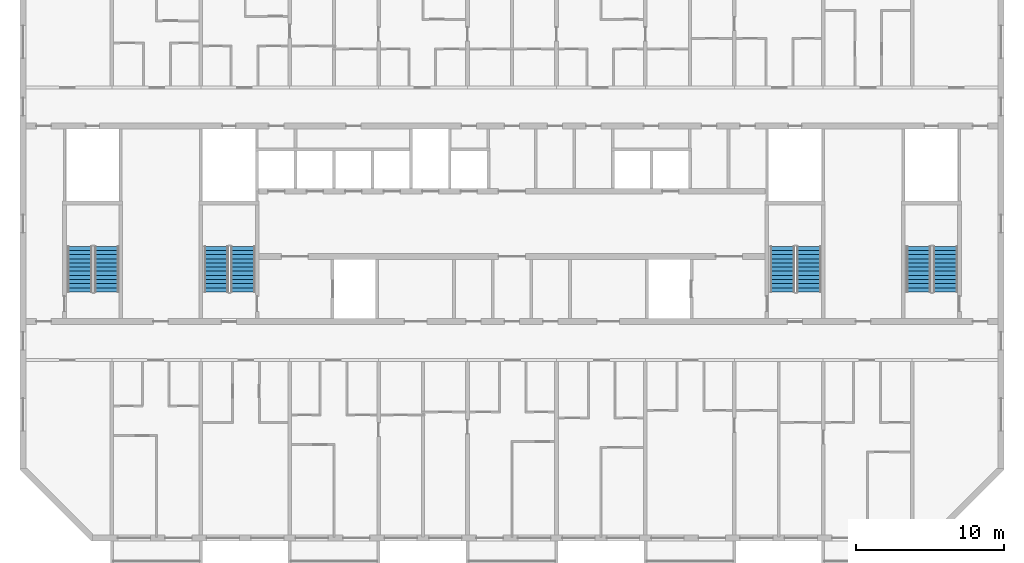
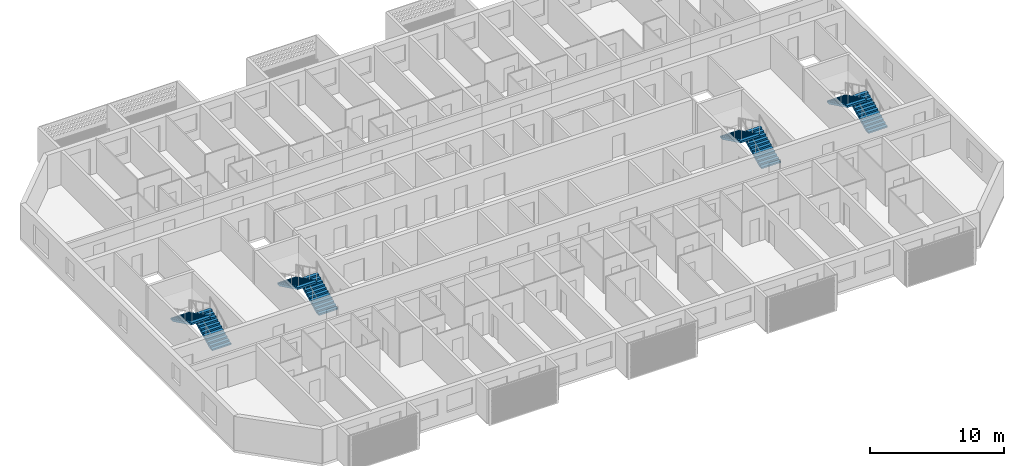
# One storey, part 12 of 27: 8 stair flights, 4 elements without a shape of their own.
"""IFC4 building model written with IfcOpenShell, lengths in metres."""

from ifc_helpers import new_model, si_unit, direction, frame, origin, place, context, subcontext, project, spatial, polyline, outline, extrude, material, layer, layer_set, type_object, element, aggregate, save


model = new_model("IFC4")

# Units and contexts
model_context = context("Model", 3, precision=1e-05, world=origin(), true_north=direction((0.0, 1.0)))
body_context = subcontext(model_context, "Body", "Model", "MODEL_VIEW")
ifc_project = project(units=[si_unit("LENGTHUNIT", "METRE"), si_unit("AREAUNIT", "SQUARE_METRE"), si_unit("VOLUMEUNIT", "CUBIC_METRE"), si_unit("PLANEANGLEUNIT", "RADIAN"), si_unit("MASSUNIT", "GRAM", prefix="KILO")], contexts=[model_context])

# Site, building, storey
site_placement = place(None, origin())
site = spatial("IfcSite", under=ifc_project, at=site_placement, CompositionType="ELEMENT")
building_placement = place(site_placement, origin())
building = spatial("IfcBuilding", under=site, at=building_placement, Name="Poui Terraces", CompositionType="ELEMENT")
storey_placement = place(building_placement, frame((0.0, 0.0, 198.300048828125)))
storey = spatial("IfcBuildingStorey", under=building, at=storey_placement, Name="L55", CompositionType="ELEMENT", Elevation=198.300048828125)

# Stair, stair flights
ifc_material = material(Name="Concrete 50 MPa", Category="concrete")
stair_type = type_object("IfcStairType", Name="EXIT STAIR 1650 50 MPA", PredefinedType="HALF_TURN_STAIR", material=ifc_material)
stair_1_placement = place(storey_placement, origin())
stair_1 = element("IfcStair", 1, at=stair_1_placement, inside=storey, type_object=stair_type, Name="L55 CORE STAIR EAST", PredefinedType="HALF_TURN_STAIR")
ifc_layer = layer(ifc_material, 0.14990234375)
ifc_layer_set = layer_set([ifc_layer], Name="Concrete 50 MPa")
stair_flight_type = type_object("IfcStairFlightType", Name="STAIR FLIGHT 12 RISERS 138 RISE 50 MPA", PredefinedType="STRAIGHT", material=ifc_layer_set)
stair_flight_1_placement = place(storey_placement, frame((71.050048828125, 16.60009765625, 0.0), z_axis=(0.0, 0.0, 1.0), x_axis=(0.0, 1.0, 0.0)))
stair_flight_1 = element("IfcStairFlight", 2, at=stair_flight_1_placement, type_object=stair_flight_type, Name="ST-CE flight 1", NumberOfRisers=12, NumberOfTreads=11, PredefinedType="STRAIGHT", RiserHeight=0.1375, TreadLength=0.28, context=body_context, shape_type="SweptSolid", body=[
    extrude(outline(polyline([(0.0, 0.0), (0.0, 0.137451171875), (0.280029296875, 0.137451171875), (0.280029296875, 0.27490234375), (0.56005859375, 0.27490234375), (0.56005859375, 0.41259765625), (0.840087890625, 0.41259765625), (0.840087890625, 0.550048828125), (1.1201171875, 0.550048828125), (1.1201171875, 0.6875), (1.39990234375, 0.6875), (1.39990234375, 0.824951171875), (1.679931640625, 0.824951171875), (1.679931640625, 0.96240234375), (1.9599609375, 0.96240234375), (1.9599609375, 1.10009765625), (2.239990234375, 1.10009765625), (2.239990234375, 1.237548828125), (2.52001953125, 1.237548828125), (2.52001953125, 1.375), (2.800048828125, 1.375), (2.800048828125, 1.512451171875), (3.080078125, 1.512451171875), (3.080078125, 1.64990234375), (3.080078125, 1.345458984375), (0.340087890625, 0.0), (0.0, 0.0)])), frame((0.0, 0.824951171875, 0.0), z_axis=(0.0, -1.0, 0.0), x_axis=(1.0, 0.0, 0.0)), (0.0, 0.0, 1.0), 1.64990234375),
])
stair_flight_2_placement = place(storey_placement, frame((69.25, 19.679931640625, 1.64990234375), z_axis=(0.0, 0.0, 1.0), x_axis=(0.0, -1.0, 0.0)))
stair_flight_2 = element("IfcStairFlight", 3, at=stair_flight_2_placement, type_object=stair_flight_type, Name="ST-CE flight 2", NumberOfRisers=12, NumberOfTreads=11, PredefinedType="STRAIGHT", RiserHeight=0.1375, TreadLength=0.28, context=body_context, shape_type="SweptSolid", body=[
    extrude(outline(polyline([(0.0, 0.0), (0.0, 0.137451171875), (0.280029296875, 0.137451171875), (0.280029296875, 0.27490234375), (0.56005859375, 0.27490234375), (0.56005859375, 0.41259765625), (0.840087890625, 0.41259765625), (0.840087890625, 0.550048828125), (1.1201171875, 0.550048828125), (1.1201171875, 0.6875), (1.39990234375, 0.6875), (1.39990234375, 0.824951171875), (1.679931640625, 0.824951171875), (1.679931640625, 0.96240234375), (1.9599609375, 0.96240234375), (1.9599609375, 1.10009765625), (2.239990234375, 1.10009765625), (2.239990234375, 1.237548828125), (2.52001953125, 1.237548828125), (2.52001953125, 1.375), (2.800048828125, 1.375), (2.800048828125, 1.512451171875), (3.080078125, 1.512451171875), (3.080078125, 1.64990234375), (3.080078125, 1.345458984375), (0.340087890625, 0.0), (0.0, 0.0)])), frame((0.0, 0.824951171875, 0.0), z_axis=(0.0, -1.0, 0.0), x_axis=(1.0, 0.0, 0.0)), (0.0, 0.0, 1.0), 1.64990234375),
])
aggregate(stair_1, [stair_flight_1, stair_flight_2])

stair_2_placement = place(storey_placement, origin())
stair_2 = element("IfcStair", 4, at=stair_2_placement, inside=storey, type_object=stair_type, Name="L55 CORE STAIR WEST", PredefinedType="HALF_TURN_STAIR")
stair_flight_3_placement = place(storey_placement, frame((32.85009765625, 16.60009765625, 0.0), z_axis=(0.0, 0.0, 1.0), x_axis=(0.0, 1.0, 0.0)))
stair_flight_3 = element("IfcStairFlight", 5, at=stair_flight_3_placement, type_object=stair_flight_type, Name="ST-CW flight 1", NumberOfRisers=12, NumberOfTreads=11, PredefinedType="STRAIGHT", RiserHeight=0.1375, TreadLength=0.28, context=body_context, shape_type="SweptSolid", body=[
    extrude(outline(polyline([(0.0, 0.0), (0.0, 0.137451171875), (0.280029296875, 0.137451171875), (0.280029296875, 0.27490234375), (0.56005859375, 0.27490234375), (0.56005859375, 0.41259765625), (0.840087890625, 0.41259765625), (0.840087890625, 0.550048828125), (1.1201171875, 0.550048828125), (1.1201171875, 0.6875), (1.39990234375, 0.6875), (1.39990234375, 0.824951171875), (1.679931640625, 0.824951171875), (1.679931640625, 0.96240234375), (1.9599609375, 0.96240234375), (1.9599609375, 1.10009765625), (2.239990234375, 1.10009765625), (2.239990234375, 1.237548828125), (2.52001953125, 1.237548828125), (2.52001953125, 1.375), (2.800048828125, 1.375), (2.800048828125, 1.512451171875), (3.080078125, 1.512451171875), (3.080078125, 1.64990234375), (3.080078125, 1.345458984375), (0.340087890625, 0.0), (0.0, 0.0)])), frame((0.0, 0.824951171875, 0.0), z_axis=(0.0, -1.0, 0.0), x_axis=(1.0, 0.0, 0.0)), (0.0, 0.0, 1.0), 1.64990234375),
])
stair_flight_4_placement = place(storey_placement, frame((31.050048828125, 19.679931640625, 1.64990234375), z_axis=(0.0, 0.0, 1.0), x_axis=(0.0, -1.0, 0.0)))
stair_flight_4 = element("IfcStairFlight", 6, at=stair_flight_4_placement, type_object=stair_flight_type, Name="ST-CW flight 2", NumberOfRisers=12, NumberOfTreads=11, PredefinedType="STRAIGHT", RiserHeight=0.1375, TreadLength=0.28, context=body_context, shape_type="SweptSolid", body=[
    extrude(outline(polyline([(0.0, 0.0), (0.0, 0.137451171875), (0.280029296875, 0.137451171875), (0.280029296875, 0.27490234375), (0.56005859375, 0.27490234375), (0.56005859375, 0.41259765625), (0.840087890625, 0.41259765625), (0.840087890625, 0.550048828125), (1.1201171875, 0.550048828125), (1.1201171875, 0.6875), (1.39990234375, 0.6875), (1.39990234375, 0.824951171875), (1.679931640625, 0.824951171875), (1.679931640625, 0.96240234375), (1.9599609375, 0.96240234375), (1.9599609375, 1.10009765625), (2.239990234375, 1.10009765625), (2.239990234375, 1.237548828125), (2.52001953125, 1.237548828125), (2.52001953125, 1.375), (2.800048828125, 1.375), (2.800048828125, 1.512451171875), (3.080078125, 1.512451171875), (3.080078125, 1.64990234375), (3.080078125, 1.345458984375), (0.340087890625, 0.0), (0.0, 0.0)])), frame((0.0, 0.824951171875, 0.0), z_axis=(0.0, -1.0, 0.0), x_axis=(1.0, 0.0, 0.0)), (0.0, 0.0, 1.0), 1.64990234375),
])
aggregate(stair_2, [stair_flight_3, stair_flight_4])

stair_3_placement = place(storey_placement, origin())
stair_3 = element("IfcStair", 7, at=stair_3_placement, inside=storey, type_object=stair_type, Name="L55 TIP STAIR EAST", PredefinedType="HALF_TURN_STAIR")
stair_flight_5_placement = place(storey_placement, frame((80.25, 16.60009765625, 0.0), z_axis=(0.0, 0.0, 1.0), x_axis=(0.0, 1.0, 0.0)))
stair_flight_5 = element("IfcStairFlight", 8, at=stair_flight_5_placement, type_object=stair_flight_type, Name="ST-E flight 1", NumberOfRisers=12, NumberOfTreads=11, PredefinedType="STRAIGHT", RiserHeight=0.1375, TreadLength=0.28, context=body_context, shape_type="SweptSolid", body=[
    extrude(outline(polyline([(0.0, 0.0), (0.0, 0.137451171875), (0.280029296875, 0.137451171875), (0.280029296875, 0.27490234375), (0.56005859375, 0.27490234375), (0.56005859375, 0.41259765625), (0.840087890625, 0.41259765625), (0.840087890625, 0.550048828125), (1.1201171875, 0.550048828125), (1.1201171875, 0.6875), (1.39990234375, 0.6875), (1.39990234375, 0.824951171875), (1.679931640625, 0.824951171875), (1.679931640625, 0.96240234375), (1.9599609375, 0.96240234375), (1.9599609375, 1.10009765625), (2.239990234375, 1.10009765625), (2.239990234375, 1.237548828125), (2.52001953125, 1.237548828125), (2.52001953125, 1.375), (2.800048828125, 1.375), (2.800048828125, 1.512451171875), (3.080078125, 1.512451171875), (3.080078125, 1.64990234375), (3.080078125, 1.345458984375), (0.340087890625, 0.0), (0.0, 0.0)])), frame((0.0, 0.824951171875, 0.0), z_axis=(0.0, -1.0, 0.0), x_axis=(1.0, 0.0, 0.0)), (0.0, 0.0, 1.0), 1.64990234375),
])
stair_flight_6_placement = place(storey_placement, frame((78.449951171875, 19.679931640625, 1.64990234375), z_axis=(0.0, 0.0, 1.0), x_axis=(0.0, -1.0, 0.0)))
stair_flight_6 = element("IfcStairFlight", 9, at=stair_flight_6_placement, type_object=stair_flight_type, Name="ST-E flight 2", NumberOfRisers=12, NumberOfTreads=11, PredefinedType="STRAIGHT", RiserHeight=0.1375, TreadLength=0.28, context=body_context, shape_type="SweptSolid", body=[
    extrude(outline(polyline([(0.0, 0.0), (0.0, 0.137451171875), (0.280029296875, 0.137451171875), (0.280029296875, 0.27490234375), (0.56005859375, 0.27490234375), (0.56005859375, 0.41259765625), (0.840087890625, 0.41259765625), (0.840087890625, 0.550048828125), (1.1201171875, 0.550048828125), (1.1201171875, 0.6875), (1.39990234375, 0.6875), (1.39990234375, 0.824951171875), (1.679931640625, 0.824951171875), (1.679931640625, 0.96240234375), (1.9599609375, 0.96240234375), (1.9599609375, 1.10009765625), (2.239990234375, 1.10009765625), (2.239990234375, 1.237548828125), (2.52001953125, 1.237548828125), (2.52001953125, 1.375), (2.800048828125, 1.375), (2.800048828125, 1.512451171875), (3.080078125, 1.512451171875), (3.080078125, 1.64990234375), (3.080078125, 1.345458984375), (0.340087890625, 0.0), (0.0, 0.0)])), frame((0.0, 0.824951171875, 0.0), z_axis=(0.0, -1.0, 0.0), x_axis=(1.0, 0.0, 0.0)), (0.0, 0.0, 1.0), 1.64990234375),
])
aggregate(stair_3, [stair_flight_5, stair_flight_6])

stair_4_placement = place(storey_placement, origin())
stair_4 = element("IfcStair", 10, at=stair_4_placement, inside=storey, type_object=stair_type, Name="L55 TIP STAIR WEST", PredefinedType="HALF_TURN_STAIR")
stair_flight_7_placement = place(storey_placement, frame((23.64990234375, 16.60009765625, 0.0), z_axis=(0.0, 0.0, 1.0), x_axis=(0.0, 1.0, 0.0)))
stair_flight_7 = element("IfcStairFlight", 11, at=stair_flight_7_placement, type_object=stair_flight_type, Name="ST-W flight 1", NumberOfRisers=12, NumberOfTreads=11, PredefinedType="STRAIGHT", RiserHeight=0.1375, TreadLength=0.28, context=body_context, shape_type="SweptSolid", body=[
    extrude(outline(polyline([(0.0, 0.0), (0.0, 0.137451171875), (0.280029296875, 0.137451171875), (0.280029296875, 0.27490234375), (0.56005859375, 0.27490234375), (0.56005859375, 0.41259765625), (0.840087890625, 0.41259765625), (0.840087890625, 0.550048828125), (1.1201171875, 0.550048828125), (1.1201171875, 0.6875), (1.39990234375, 0.6875), (1.39990234375, 0.824951171875), (1.679931640625, 0.824951171875), (1.679931640625, 0.96240234375), (1.9599609375, 0.96240234375), (1.9599609375, 1.10009765625), (2.239990234375, 1.10009765625), (2.239990234375, 1.237548828125), (2.52001953125, 1.237548828125), (2.52001953125, 1.375), (2.800048828125, 1.375), (2.800048828125, 1.512451171875), (3.080078125, 1.512451171875), (3.080078125, 1.64990234375), (3.080078125, 1.345458984375), (0.340087890625, 0.0), (0.0, 0.0)])), frame((0.0, 0.824951171875, 0.0), z_axis=(0.0, -1.0, 0.0), x_axis=(1.0, 0.0, 0.0)), (0.0, 0.0, 1.0), 1.64990234375),
])
stair_flight_8_placement = place(storey_placement, frame((21.85009765625, 19.679931640625, 1.64990234375), z_axis=(0.0, 0.0, 1.0), x_axis=(0.0, -1.0, 0.0)))
stair_flight_8 = element("IfcStairFlight", 12, at=stair_flight_8_placement, type_object=stair_flight_type, Name="ST-W flight 2", NumberOfRisers=12, NumberOfTreads=11, PredefinedType="STRAIGHT", RiserHeight=0.1375, TreadLength=0.28, context=body_context, shape_type="SweptSolid", body=[
    extrude(outline(polyline([(0.0, 0.0), (0.0, 0.137451171875), (0.280029296875, 0.137451171875), (0.280029296875, 0.27490234375), (0.56005859375, 0.27490234375), (0.56005859375, 0.41259765625), (0.840087890625, 0.41259765625), (0.840087890625, 0.550048828125), (1.1201171875, 0.550048828125), (1.1201171875, 0.6875), (1.39990234375, 0.6875), (1.39990234375, 0.824951171875), (1.679931640625, 0.824951171875), (1.679931640625, 0.96240234375), (1.9599609375, 0.96240234375), (1.9599609375, 1.10009765625), (2.239990234375, 1.10009765625), (2.239990234375, 1.237548828125), (2.52001953125, 1.237548828125), (2.52001953125, 1.375), (2.800048828125, 1.375), (2.800048828125, 1.512451171875), (3.080078125, 1.512451171875), (3.080078125, 1.64990234375), (3.080078125, 1.345458984375), (0.340087890625, 0.0), (0.0, 0.0)])), frame((0.0, 0.824951171875, 0.0), z_axis=(0.0, -1.0, 0.0), x_axis=(1.0, 0.0, 0.0)), (0.0, 0.0, 1.0), 1.64990234375),
])
aggregate(stair_4, [stair_flight_7, stair_flight_8])

save(model, "model.ifc")
